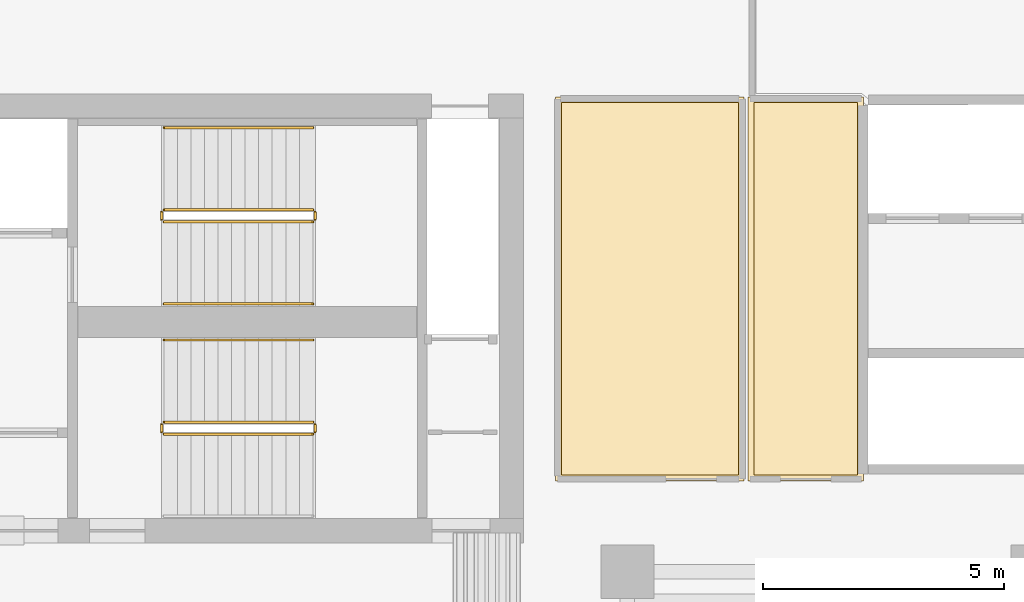
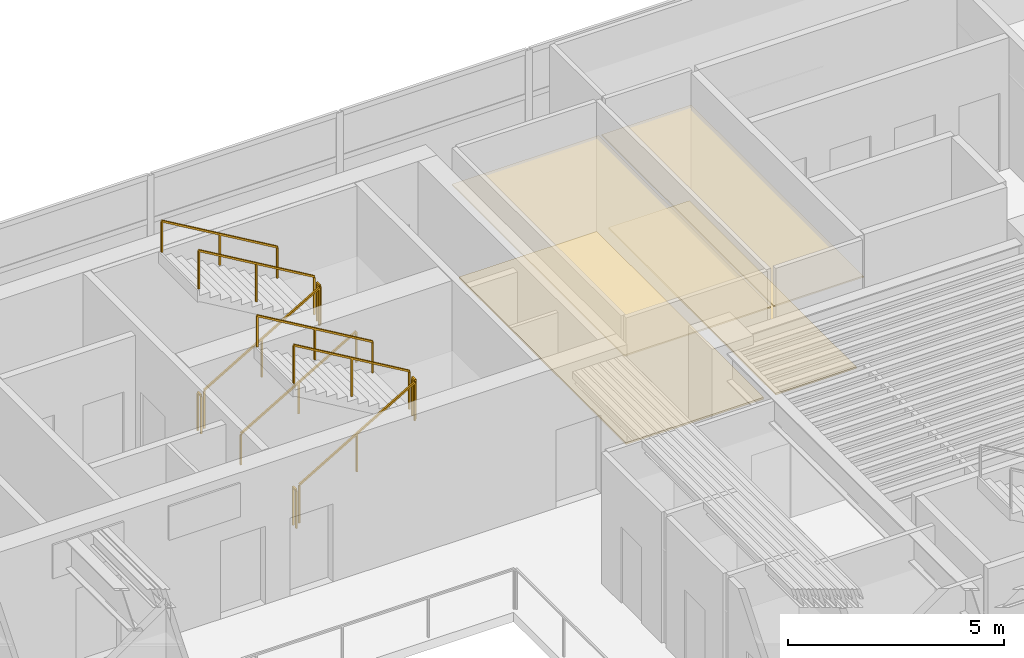
# One storey, part 12 of 12: 11 railings, 4 coverings.
"""IFC4 building model written with IfcOpenShell, lengths in metres."""

from ifc_helpers import new_model, si_unit, direction, frame, origin, origin_2d, place, context, subcontext, project, spatial, polyline, rectangle, outline, extrude, material, layer, layer_set, type_object, element, save


model = new_model("IFC4")

# Units and contexts
model_context = context("Model", 3, precision=1e-05, world=origin(), true_north=direction((0.0, 1.0)))
body_context = subcontext(model_context, "Body", "Model", "MODEL_VIEW")
ifc_project = project(units=[si_unit("LENGTHUNIT", "METRE"), si_unit("AREAUNIT", "SQUARE_METRE"), si_unit("VOLUMEUNIT", "CUBIC_METRE"), si_unit("PLANEANGLEUNIT", "RADIAN"), si_unit("MASSUNIT", "GRAM", prefix="KILO")], contexts=[model_context])

# Site, building, storey
site_placement = place(None, origin())
site = spatial("IfcSite", under=ifc_project, at=site_placement, CompositionType="ELEMENT")
building_placement = place(site_placement, origin())
building = spatial("IfcBuilding", under=site, at=building_placement, Name="Caeloran Harvest Quay", CompositionType="ELEMENT")
storey_placement = place(building_placement, frame((0.0, 0.0, 146.949951171875)))
storey = spatial("IfcBuildingStorey", under=building, at=storey_placement, Name="L34", CompositionType="ELEMENT", Elevation=146.949951171875)

# Coverings
ifc_material_1 = material(Name="Perforated Mineral-Fibre Acoustic Ceiling Tile", Category="ceiling")
ifc_layer_1 = layer(ifc_material_1, 0.0400390625, Name="Perforated Mineral-Fibre Acoustic Ceiling Tile")
ifc_layer_set_1 = layer_set([ifc_layer_1], Name="Perforated Mineral-Fibre Acoustic Ceiling Tile")
covering_type_1 = type_object("IfcCoveringType", Name="COV-CEILING-ACOUSTIC", PredefinedType="CEILING", material=ifc_layer_set_1)
covering_1_placement = place(storey_placement, frame((0.0, 0.0, 2.60009765625)))
element("IfcCovering", 1, at=covering_1_placement, inside=storey, type_object=covering_type_1, Name="L34 Crop Phenotyping West Laboratory Acoustic Ceiling", PredefinedType="CEILING", context=body_context, shape_type="SweptSolid", body=[
    extrude(outline(polyline([(27.919921875, 40.840087890625), (27.919921875, 32.8798828125), (24.010009765625, 32.8798828125), (24.010009765625, 40.840087890625), (27.919921875, 40.840087890625)])), origin(), (0.0, 0.0, 1.0), 0.0400390625),
])
covering_2_placement = place(storey_placement, frame((0.0, 0.0, 2.60009765625)))
element("IfcCovering", 2, at=covering_2_placement, inside=storey, type_object=covering_type_1, Name="L34 Genomics Sequencing East Studio Acoustic Ceiling", PredefinedType="CEILING", context=body_context, shape_type="SweptSolid", body=[
    extrude(outline(polyline([(30.389892578125, 40.840087890625), (30.389892578125, 32.8798828125), (28.0, 32.8798828125), (28.0, 40.840087890625), (30.389892578125, 40.840087890625)])), origin(), (0.0, 0.0, 1.0), 0.0400390625),
])
ifc_material_2 = material(Name="Calcium-Sulphate Raised Access Floor and Terrazzo Finish", Category="flooring")
ifc_layer_2 = layer(ifc_material_2, 0.050048828125, Name="Calcium-Sulphate Raised Access Floor and Terrazzo Finish")
ifc_layer_set_2 = layer_set([ifc_layer_2], Name="Calcium-Sulphate Raised Access Floor and Terrazzo Finish")
covering_type_2 = type_object("IfcCoveringType", Name="COV-FLOOR-RAISED", PredefinedType="FLOORING", material=ifc_layer_set_2)
covering_3_placement = place(storey_placement, origin())
element("IfcCovering", 3, at=covering_3_placement, inside=storey, type_object=covering_type_2, Name="L34 Crop Phenotyping West Laboratory Raised Finish Flooring", PredefinedType="FLOORING", context=body_context, shape_type="SweptSolid", body=[
    extrude(outline(polyline([(27.800048828125, 40.719970703125), (27.800048828125, 33.0), (24.1298828125, 33.0), (24.1298828125, 40.719970703125), (27.800048828125, 40.719970703125)])), origin(), (0.0, 0.0, 1.0), 0.050048828125),
])
covering_4_placement = place(storey_placement, origin())
element("IfcCovering", 4, at=covering_4_placement, inside=storey, type_object=covering_type_2, Name="L34 Genomics Sequencing East Studio Raised Finish Flooring", PredefinedType="FLOORING", context=body_context, shape_type="SweptSolid", body=[
    extrude(outline(polyline([(30.27001953125, 40.719970703125), (30.27001953125, 33.0), (28.1201171875, 33.0), (28.1201171875, 40.719970703125), (30.27001953125, 40.719970703125)])), origin(), (0.0, 0.0, 1.0), 0.050048828125),
])

# Railings
ifc_material_3 = material(Name="Painted Steel Baluster and Top-Rail Stair Guard", Category="steel")
ifc_layer_3 = layer(ifc_material_3, 0.050048828125, Name="Painted Steel Baluster and Top-Rail Stair Guard")
ifc_layer_set_3 = layer_set([ifc_layer_3], Name="Painted Steel Baluster and Top-Rail Stair Guard")
railing_type_1 = type_object("IfcRailingType", Name="STAIR-GUARD-1100", PredefinedType="GUARDRAIL", material=ifc_layer_set_3)
railing_1_placement = place(storey_placement, frame((15.89990234375, 38.25, 0.16455078125)))
element("IfcRailing", 5, at=railing_1_placement, inside=storey, type_object=railing_type_1, Name="L34 ST-C1 stair guard 1", PredefinedType="GUARDRAIL", context=body_context, shape_type="SweptSolid", body=[
    extrude(rectangle(XDim=0.048095703125, YDim=0.048095703125, at=origin_2d()), frame((0.0, 0.0, 1.076171875), z_axis=(0.862088758681, 0.0, 0.506757310905), x_axis=(0.0, 1.0, 0.0)), (0.0, 0.0, 1.0), 3.57275390625),
    extrude(rectangle(XDim=0.0419921875, YDim=0.0419921875, at=origin_2d()), origin(), (0.0, 0.0, 1.0), 1.052001953125),
    extrude(rectangle(XDim=0.0419921875, YDim=0.0419921875, at=origin_2d()), frame((1.5400390625, 0.0, 0.9052734375)), (0.0, 0.0, 1.0), 1.052001953125),
    extrude(rectangle(XDim=0.0419921875, YDim=0.0419921875, at=origin_2d()), frame((3.080078125, 0.0, 1.810546875)), (0.0, 0.0, 1.0), 1.052001953125),
])
railing_2_placement = place(storey_placement, frame((19.030029296875, 38.300048828125, 1.97509765625)))
element("IfcRailing", 6, at=railing_2_placement, inside=storey, type_object=railing_type_1, Name="L34 ST-C1 stair guard 2", PredefinedType="GUARDRAIL", context=body_context, shape_type="SweptSolid", body=[
    extrude(rectangle(XDim=0.048095703125, YDim=0.048095703125, at=origin_2d()), frame((0.0, 0.0, 1.076171875), z_axis=(0.0, 1.0, 0.0), x_axis=(-1.0, 0.0, 0.0)), (0.0, 0.0, 1.0), 0.14990234375),
    extrude(rectangle(XDim=0.0419921875, YDim=0.0419921875, at=origin_2d()), origin(), (0.0, 0.0, 1.0), 1.052001953125),
    extrude(rectangle(XDim=0.0419921875, YDim=0.0419921875, at=origin_2d()), frame((0.0, 0.14990234375, 0.0)), (0.0, 0.0, 1.0), 1.052001953125),
])
railing_3_placement = place(storey_placement, frame((18.97998046875, 38.5, 2.1396484375)))
element("IfcRailing", 7, at=railing_3_placement, inside=storey, type_object=railing_type_1, Name="L34 ST-C1 stair guard 3", PredefinedType="GUARDRAIL", context=body_context, shape_type="SweptSolid", body=[
    extrude(rectangle(XDim=0.048095703125, YDim=0.048095703125, at=origin_2d()), frame((0.0, 0.0, 1.076171875), z_axis=(-0.862118610829, 0.0, 0.506706523406), x_axis=(0.0, -1.0, 0.0)), (0.0, 0.0, 1.0), 3.57275390625),
    extrude(rectangle(XDim=0.0419921875, YDim=0.0419921875, at=origin_2d()), origin(), (0.0, 0.0, 1.0), 1.052001953125),
    extrude(rectangle(XDim=0.0419921875, YDim=0.0419921875, at=origin_2d()), frame((-1.5400390625, 0.0, 0.9052734375)), (0.0, 0.0, 1.0), 1.052001953125),
    extrude(rectangle(XDim=0.0419921875, YDim=0.0419921875, at=origin_2d()), frame((-3.080078125, 0.0, 1.810302734375)), (0.0, 0.0, 1.0), 1.052001953125),
])
railing_4_placement = place(storey_placement, frame((15.85009765625, 38.300048828125, 0.0)))
element("IfcRailing", 8, at=railing_4_placement, inside=storey, type_object=railing_type_1, Name="L34 ST-C1 stair guard 4", PredefinedType="GUARDRAIL", context=body_context, shape_type="SweptSolid", body=[
    extrude(rectangle(XDim=0.048095703125, YDim=0.048095703125, at=origin_2d()), frame((0.0, 0.0, 1.076171875), z_axis=(0.0, 1.0, 0.0), x_axis=(-1.0, 0.0, 0.0)), (0.0, 0.0, 1.0), 0.14990234375),
    extrude(rectangle(XDim=0.0419921875, YDim=0.0419921875, at=origin_2d()), origin(), (0.0, 0.0, 1.0), 1.052001953125),
    extrude(rectangle(XDim=0.0419921875, YDim=0.0419921875, at=origin_2d()), frame((0.0, 0.14990234375, 0.0)), (0.0, 0.0, 1.0), 1.052001953125),
])
railing_5_placement = place(storey_placement, frame((15.89990234375, 33.85009765625, 0.16455078125)))
element("IfcRailing", 9, at=railing_5_placement, inside=storey, type_object=railing_type_1, Name="L34 ST-C2 stair guard 1", PredefinedType="GUARDRAIL", context=body_context, shape_type="SweptSolid", body=[
    extrude(rectangle(XDim=0.048095703125, YDim=0.048095703125, at=origin_2d()), frame((0.0, 0.0, 1.076171875), z_axis=(0.862088758681, 0.0, 0.506757310905), x_axis=(0.0, 1.0, 0.0)), (0.0, 0.0, 1.0), 3.57275390625),
    extrude(rectangle(XDim=0.0419921875, YDim=0.0419921875, at=origin_2d()), origin(), (0.0, 0.0, 1.0), 1.052001953125),
    extrude(rectangle(XDim=0.0419921875, YDim=0.0419921875, at=origin_2d()), frame((1.5400390625, 0.0, 0.9052734375)), (0.0, 0.0, 1.0), 1.052001953125),
    extrude(rectangle(XDim=0.0419921875, YDim=0.0419921875, at=origin_2d()), frame((3.080078125, 0.0, 1.810546875)), (0.0, 0.0, 1.0), 1.052001953125),
])
railing_6_placement = place(storey_placement, frame((19.030029296875, 33.89990234375, 1.97509765625)))
element("IfcRailing", 10, at=railing_6_placement, inside=storey, type_object=railing_type_1, Name="L34 ST-C2 stair guard 2", PredefinedType="GUARDRAIL", context=body_context, shape_type="SweptSolid", body=[
    extrude(rectangle(XDim=0.048095703125, YDim=0.048095703125, at=origin_2d()), frame((0.0, 0.0, 1.076171875), z_axis=(0.0, 1.0, 0.0), x_axis=(-1.0, 0.0, 0.0)), (0.0, 0.0, 1.0), 0.150146484375),
    extrude(rectangle(XDim=0.0419921875, YDim=0.0419921875, at=origin_2d()), origin(), (0.0, 0.0, 1.0), 1.052001953125),
    extrude(rectangle(XDim=0.0419921875, YDim=0.0419921875, at=origin_2d()), frame((0.0, 0.150146484375, 0.0)), (0.0, 0.0, 1.0), 1.052001953125),
])
railing_7_placement = place(storey_placement, frame((18.97998046875, 34.10009765625, 2.1396484375)))
element("IfcRailing", 11, at=railing_7_placement, inside=storey, type_object=railing_type_1, Name="L34 ST-C2 stair guard 3", PredefinedType="GUARDRAIL", context=body_context, shape_type="SweptSolid", body=[
    extrude(rectangle(XDim=0.048095703125, YDim=0.048095703125, at=origin_2d()), frame((0.0, 0.0, 1.076171875), z_axis=(-0.862118610829, 0.0, 0.506706523406), x_axis=(0.0, -1.0, 0.0)), (0.0, 0.0, 1.0), 3.57275390625),
    extrude(rectangle(XDim=0.0419921875, YDim=0.0419921875, at=origin_2d()), origin(), (0.0, 0.0, 1.0), 1.052001953125),
    extrude(rectangle(XDim=0.0419921875, YDim=0.0419921875, at=origin_2d()), frame((-1.5400390625, 0.0, 0.9052734375)), (0.0, 0.0, 1.0), 1.052001953125),
    extrude(rectangle(XDim=0.0419921875, YDim=0.0419921875, at=origin_2d()), frame((-3.080078125, 0.0, 1.810302734375)), (0.0, 0.0, 1.0), 1.052001953125),
])
railing_8_placement = place(storey_placement, frame((15.85009765625, 33.89990234375, 0.0)))
element("IfcRailing", 12, at=railing_8_placement, inside=storey, type_object=railing_type_1, Name="L34 ST-C2 stair guard 4", PredefinedType="GUARDRAIL", context=body_context, shape_type="SweptSolid", body=[
    extrude(rectangle(XDim=0.048095703125, YDim=0.048095703125, at=origin_2d()), frame((0.0, 0.0, 1.076171875), z_axis=(0.0, 1.0, 0.0), x_axis=(-1.0, 0.0, 0.0)), (0.0, 0.0, 1.0), 0.150146484375),
    extrude(rectangle(XDim=0.0419921875, YDim=0.0419921875, at=origin_2d()), origin(), (0.0, 0.0, 1.0), 1.052001953125),
    extrude(rectangle(XDim=0.0419921875, YDim=0.0419921875, at=origin_2d()), frame((0.0, 0.150146484375, 0.0)), (0.0, 0.0, 1.0), 1.052001953125),
])
ifc_material_4 = material(Name="Brushed Stainless Steel Grade 304", Category="steel")
ifc_layer_4 = layer(ifc_material_4, 0.050048828125, Name="Brushed Stainless Steel Grade 304")
ifc_layer_set_4 = layer_set([ifc_layer_4], Name="Brushed Stainless Steel Grade 304")
railing_type_2 = type_object("IfcRailingType", Name="STAIR-HANDRAIL-900", PredefinedType="HANDRAIL", material=ifc_layer_set_4)
railing_9_placement = place(storey_placement, frame((15.89990234375, 36.550048828125, 0.16455078125)))
element("IfcRailing", 13, at=railing_9_placement, inside=storey, type_object=railing_type_2, Name="L34 ST-C1 stair handrail 1", PredefinedType="HANDRAIL", context=body_context, shape_type="SweptSolid", body=[
    extrude(rectangle(XDim=0.048095703125, YDim=0.048095703125, at=origin_2d()), frame((0.0, 0.0, 0.8759765625), z_axis=(0.862088758681, 0.0, 0.506757310905), x_axis=(0.0, 1.0, 0.0)), (0.0, 0.0, 1.0), 3.57275390625),
    extrude(rectangle(XDim=0.0419921875, YDim=0.0419921875, at=origin_2d()), origin(), (0.0, 0.0, 1.0), 0.851806640625),
    extrude(rectangle(XDim=0.0419921875, YDim=0.0419921875, at=origin_2d()), frame((1.5400390625, 0.0, 0.9052734375)), (0.0, 0.0, 1.0), 0.851806640625),
    extrude(rectangle(XDim=0.0419921875, YDim=0.0419921875, at=origin_2d()), frame((3.080078125, 0.0, 1.810546875)), (0.0, 0.0, 1.0), 0.851806640625),
])
for number, where, name in (
    (14, (18.97998046875, 40.199951171875, 2.1396484375), "L34 ST-C1 stair handrail 2"),
    (15, (18.97998046875, 35.800048828125, 2.1396484375), "L34 ST-C2 stair handrail 2"),
):
    element("IfcRailing", number, at=place(storey_placement, frame(where)), inside=storey, type_object=railing_type_2, Name=name, PredefinedType="HANDRAIL", context=body_context, shape_type="SweptSolid", body=[
        extrude(rectangle(XDim=0.048095703125, YDim=0.048095703125, at=origin_2d()), frame((0.0, 0.0, 0.8759765625), z_axis=(-0.862118610829, 0.0, 0.506706523406), x_axis=(0.0, -1.0, 0.0)), (0.0, 0.0, 1.0), 3.57275390625),
        extrude(rectangle(XDim=0.0419921875, YDim=0.0419921875, at=origin_2d()), origin(), (0.0, 0.0, 1.0), 0.851806640625),
        extrude(rectangle(XDim=0.0419921875, YDim=0.0419921875, at=origin_2d()), frame((-1.5400390625, 0.0, 0.9052734375)), (0.0, 0.0, 1.0), 0.851806640625),
        extrude(rectangle(XDim=0.0419921875, YDim=0.0419921875, at=origin_2d()), frame((-3.080078125, 0.0, 1.810302734375)), (0.0, 0.0, 1.0), 0.851806640625),
    ])

save(model, "model.ifc")
